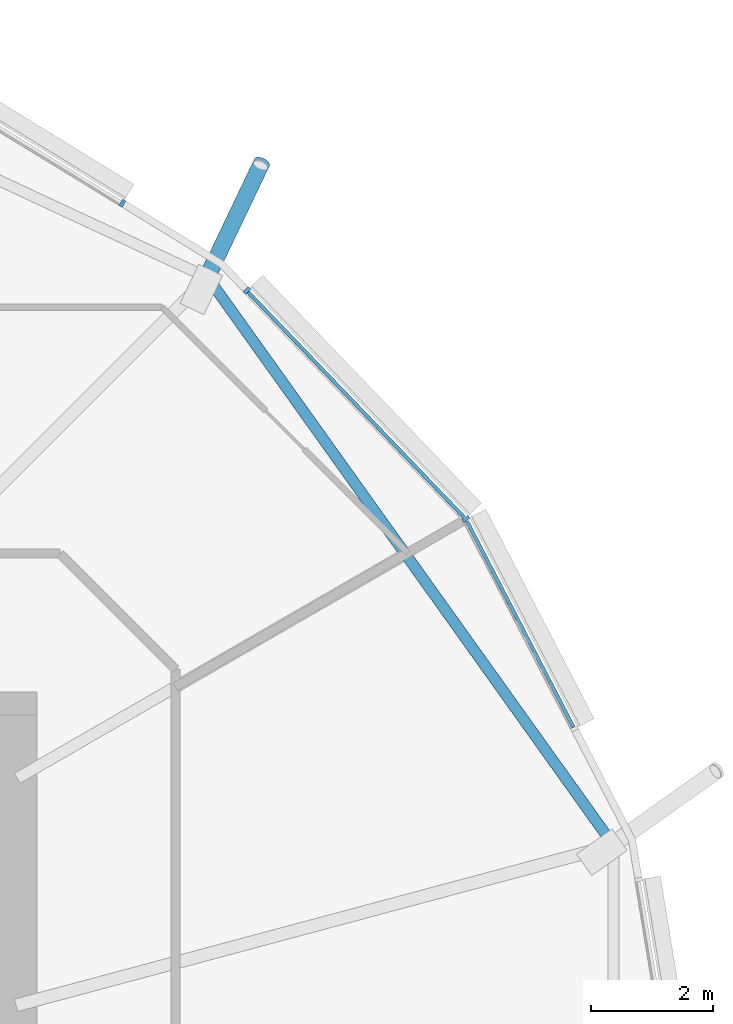
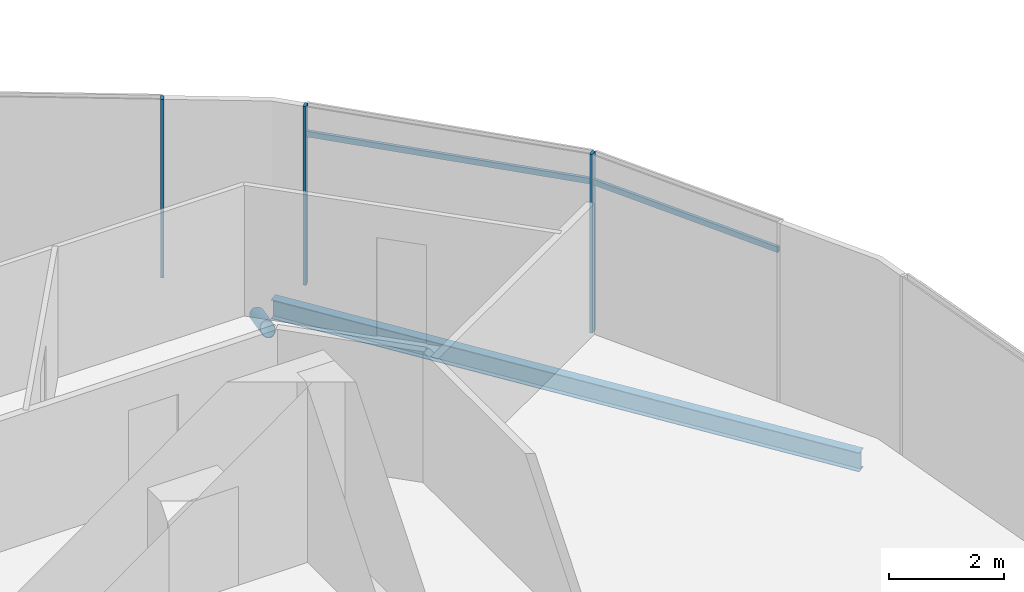
# One storey, part 12 of 38: 6 members, 1 beam, 1 element without a shape of its own.
"""IFC4 building model written with IfcOpenShell, lengths in metres."""

from ifc_helpers import new_model, si_unit, direction, frame, origin, origin_2d, place, context, subcontext, project, spatial, rectangle, hollow_circle, i_section, extrude, clip, halfspace, material, material_profile, profile_set, type_object, element, aggregate, save


model = new_model("IFC4")

# Units and contexts
model_context = context("Model", 3, precision=1e-05, world=origin(), true_north=direction((0.0, 1.0)))
body_context = subcontext(model_context, "Body", "Model", "MODEL_VIEW")
ifc_project = project(units=[si_unit("LENGTHUNIT", "METRE"), si_unit("AREAUNIT", "SQUARE_METRE"), si_unit("VOLUMEUNIT", "CUBIC_METRE"), si_unit("PLANEANGLEUNIT", "RADIAN"), si_unit("MASSUNIT", "GRAM", prefix="KILO")], contexts=[model_context])

# Site, building, storey
site_placement = place(None, origin())
site = spatial("IfcSite", under=ifc_project, at=site_placement, CompositionType="ELEMENT")
building_placement = place(site_placement, origin())
building = spatial("IfcBuilding", under=site, at=building_placement, Name="Rimbun Link Towers", CompositionType="ELEMENT")
storey_placement = place(building_placement, frame((0.0, 0.0, 119.60009765625)))
storey = spatial("IfcBuildingStorey", under=building, at=storey_placement, Name="L29", CompositionType="ELEMENT", Elevation=119.60009765625)

# Curtain wall, members
ifc_material_1 = material(Name="Aluminium 6063-T6 and low-iron glass", Category="aluminium")
curtain_wall_type = type_object("IfcCurtainWallType", Name="CW1-Z2 unitised vision wall (zone 2)", PredefinedType="NOTDEFINED", material=ifc_material_1)
curtain_wall_placement = place(storey_placement, origin())
curtain_wall = element("IfcCurtainWall", 1, at=curtain_wall_placement, inside=storey, type_object=curtain_wall_type, Name="CW1 L29 T1", PredefinedType="NOTDEFINED")
ifc_material_2 = material(Name="Aluminium 6063-T6", Category="aluminium")
ifc_material_profile_1 = material_profile(ifc_material_2, rectangle(XDim=0.1201171875, YDim=0.06005859375, at=origin_2d()), Name="MULLION 60X120")
ifc_profile_set_1 = profile_set([ifc_material_profile_1], Name="Aluminium 6063-T6")
member_type_1 = type_object("IfcMemberType", Name="CW1 mullion 60X120", PredefinedType="MULLION", material=ifc_profile_set_1)
member_1_placement = place(storey_placement, frame((-12.32763671875, 11.22021484375, 0.0), z_axis=(0.0, 0.0, 1.0), x_axis=(0.813347990418, 0.581777488807, 0.0)))
member_1 = element("IfcMember", 2, at=member_1_placement, type_object=member_type_1, Name="CW1 mullion", PredefinedType="MULLION", context=body_context, shape_type="SweptSolid", body=[
    extrude(rectangle(XDim=0.1201171875, YDim=0.06005859375, at=origin_2d()), origin(), (0.0, 0.0, 1.0), 3.7998046875),
])
member_2_placement = place(storey_placement, frame((-15.92578125, 14.97412109375, 0.0), z_axis=(0.0, 0.0, 1.0), x_axis=(0.721834717261, 0.692065488922, 0.0)))
member_2 = element("IfcMember", 3, at=member_2_placement, type_object=member_type_1, Name="CW1 mullion", PredefinedType="MULLION", context=body_context, shape_type="SweptSolid", body=[
    extrude(rectangle(XDim=0.1201171875, YDim=0.06005859375, at=origin_2d()), origin(), (0.0, 0.0, 1.0), 3.7998046875),
])
member_3_placement = place(storey_placement, frame((-17.97216796875, 16.410888671875, 0.0), z_axis=(0.0, 0.0, 1.0), x_axis=(0.523243332621, 0.852183322336, 0.0)))
member_3 = element("IfcMember", 4, at=member_3_placement, type_object=member_type_1, Name="CW1 mullion", PredefinedType="MULLION", context=body_context, shape_type="SweptSolid", body=[
    extrude(rectangle(XDim=0.1201171875, YDim=0.06005859375, at=origin_2d()), origin(), (0.0, 0.0, 1.0), 3.7998046875),
])
ifc_material_3 = material(Name="Aluminium 6063-T6", Category="aluminium")
ifc_material_profile_2 = material_profile(ifc_material_3, rectangle(XDim=0.06005859375, YDim=0.1201171875, at=origin_2d()), Name="TRANSOM 60X120")
ifc_profile_set_2 = profile_set([ifc_material_profile_2], Name="Aluminium 6063-T6")
member_type_2 = type_object("IfcMemberType", Name="CW1 transom 60X120", PredefinedType="USERDEFINED", material=ifc_profile_set_2)
member_4_placement = place(storey_placement, frame((-12.311279296875, 11.185302734375, 3.199951171875), z_axis=(0.459527309955, -0.888163639993, 0.0), x_axis=(0.888163639993, 0.459527309955, 0.0)))
member_4 = element("IfcMember", 5, at=member_4_placement, type_object=member_type_2, Name="CW1 transom", ObjectType="TRANSOM", PredefinedType="USERDEFINED", context=body_context, shape_type="SweptSolid", body=[
    extrude(rectangle(XDim=0.06005859375, YDim=0.1201171875, at=origin_2d()), origin(), (0.0, 0.0, 1.0), 3.8173828125),
])
member_5_placement = place(storey_placement, frame((-15.906494140625, 14.950927734375, 3.199951171875), z_axis=(0.692057260801, -0.721842605955, 0.0), x_axis=(0.721842605955, 0.692057260801, 0.0)))
member_5 = element("IfcMember", 6, at=member_5_placement, type_object=member_type_2, Name="CW1 transom", ObjectType="TRANSOM", PredefinedType="USERDEFINED", context=body_context, shape_type="SweptSolid", body=[
    extrude(rectangle(XDim=0.06005859375, YDim=0.1201171875, at=origin_2d()), origin(), (0.0, 0.0, 1.0), 5.131103515625),
])
aggregate(curtain_wall, [member_1, member_2, member_3, member_4, member_5])

# Member
ifc_material_4 = material(Name="Steel S355J2H", Category="steel")
ifc_material_profile_3 = material_profile(ifc_material_4, hollow_circle(Radius=0.136474609375, WallThickness=0.012451171875, at=origin_2d()), Name="CHS 273x12.5")
ifc_profile_set_3 = profile_set([ifc_material_profile_3], Name="Steel S355J2H")
member_type_3 = type_object("IfcMemberType", Name="Floor edge link CHS 273x12.5", PredefinedType="BRACE", material=ifc_profile_set_3)
member_6_placement = place(storey_placement, frame((-16.6015625, 15.1484375, -0.8115234375), z_axis=(0.374820017333, 0.785011630274, -0.493220736527), x_axis=(-0.902411594932, 0.430875055361, 0.0)))
element("IfcMember", 7, at=member_6_placement, inside=storey, type_object=member_type_3, Name="Floor edge link T1 L29 03", PredefinedType="BRACE", context=body_context, shape_type="Clipping", body=[
    clip(extrude(hollow_circle(Radius=0.136474609375, WallThickness=0.012451171875, at=origin_2d()), frame((0.0, 0.0, -0.501708984375)), (0.0, 0.0, 1.0), 2.9658203125), halfspace(frame((0.0, 0.0, -0.23583984375), z_axis=(0.0, 0.869904193035, -0.493220736527)), False)),
])

# Beam
ifc_material_5 = material(Name="Steel S355J2", Category="steel")
ifc_material_profile_4 = material_profile(ifc_material_5, i_section(OverallWidth=0.177978515625, OverallDepth=0.406494140625, WebThickness=0.0078125, FlangeThickness=0.0126953125, at=origin_2d()), Name="UB 406x178x60")
ifc_profile_set_4 = profile_set([ifc_material_profile_4], Name="Steel S355J2")
beam_type = type_object("IfcBeamType", Name="UB 406x178x60", PredefinedType="BEAM", material=ifc_profile_set_4)
beam_placement = place(storey_placement, frame((-9.96533203125, 5.946533203125, -0.36328125), z_axis=(-0.581400410141, 0.813617577913, 0.0), x_axis=(-0.813617577913, -0.581400410141, 0.0)))
element("IfcBeam", 8, at=beam_placement, inside=storey, type_object=beam_type, Name="Edge beam T1 L29 01-03", PredefinedType="BEAM", context=body_context, shape_type="SweptSolid", body=[
    extrude(i_section(OverallWidth=0.177978515625, OverallDepth=0.406494140625, WebThickness=0.0078125, FlangeThickness=0.0126953125, at=origin_2d()), origin(), (0.0, 0.0, 1.0), 11.246337890625),
])

save(model, "model.ifc")
